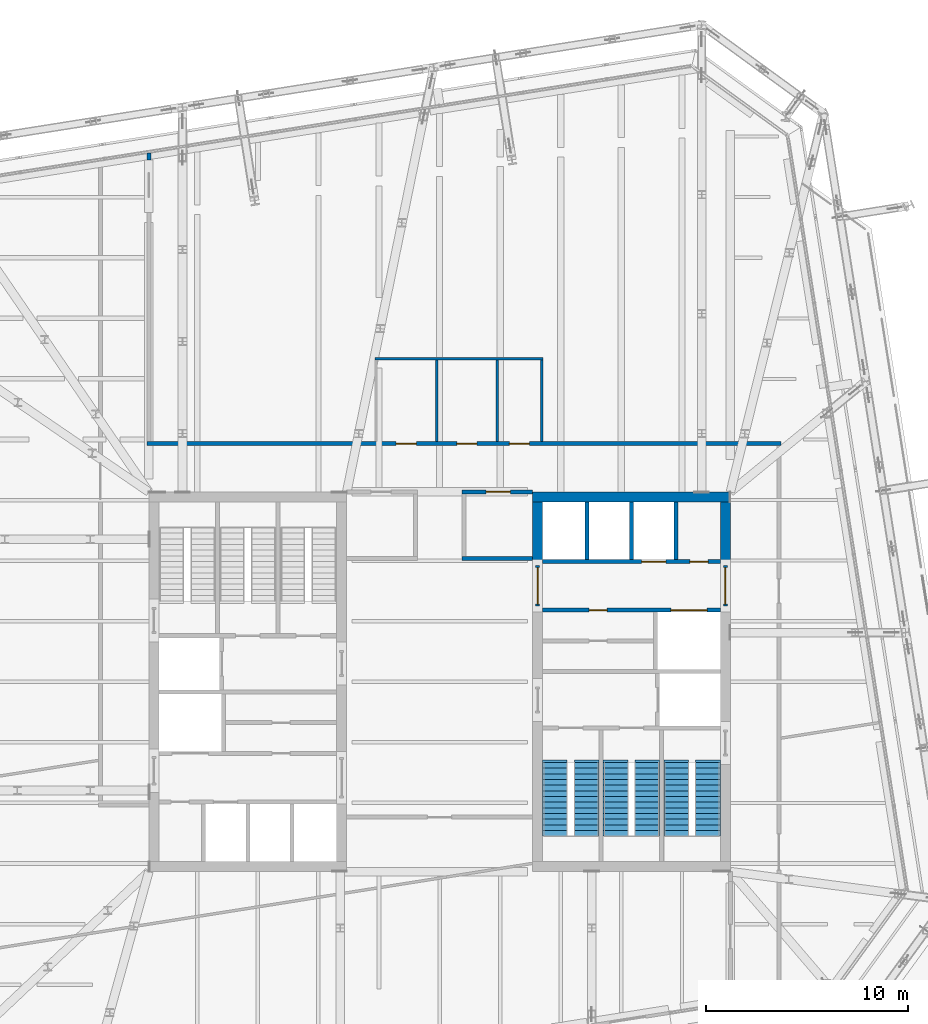
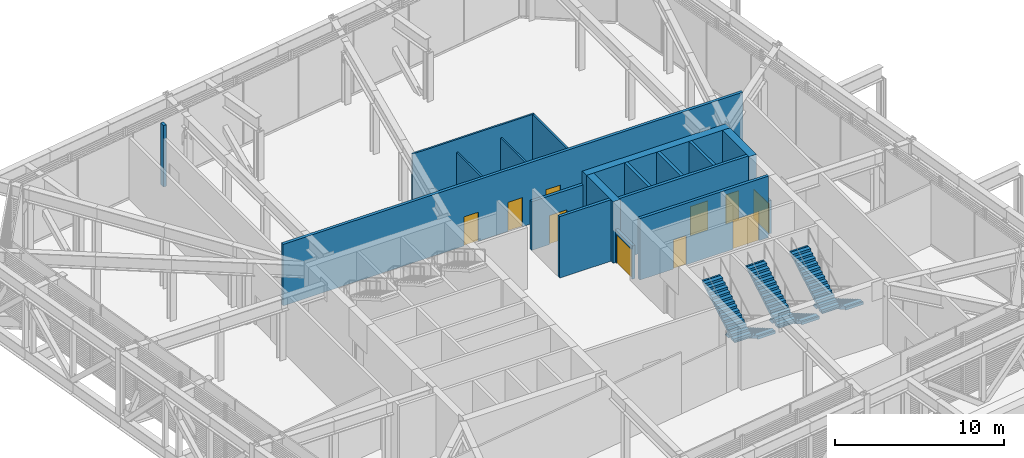
# One storey, part 23 of 35: 18 walls, 10 doors, 6 stair flights, 10 openings, 3 elements without a shape of their own.
"""IFC4 building model written with IfcOpenShell, lengths in metres."""

from ifc_helpers import new_model, si_unit, direction, frame, frame_2d, origin, place, context, subcontext, project, spatial, polyline, rectangle, outline, extrude, material, layer, layer_set, type_object, element, fill, aggregate, save


model = new_model("IFC4")

# Units and contexts
model_context = context("Model", 3, precision=1e-05, world=origin(), true_north=direction((0.0, 1.0)))
body_context = subcontext(model_context, "Body", "Model", "MODEL_VIEW")
ifc_project = project(units=[si_unit("LENGTHUNIT", "METRE"), si_unit("AREAUNIT", "SQUARE_METRE"), si_unit("VOLUMEUNIT", "CUBIC_METRE"), si_unit("PLANEANGLEUNIT", "RADIAN"), si_unit("MASSUNIT", "GRAM", prefix="KILO")], contexts=[model_context])

# Site, building, storey
site_placement = place(None, origin())
site = spatial("IfcSite", under=ifc_project, at=site_placement, CompositionType="ELEMENT")
building_placement = place(site_placement, origin())
building = spatial("IfcBuilding", under=site, at=building_placement, Name="Millrace Tower", CompositionType="ELEMENT")
storey_placement = place(building_placement, frame((0.0, 0.0, 200.10009765625)))
storey = spatial("IfcBuildingStorey", under=building, at=storey_placement, Name="L45", CompositionType="ELEMENT", Elevation=200.10009765625)

# Walls
ifc_material_1 = material(Name="Concrete C60", Category="concrete")
ifc_layer_1 = layer(ifc_material_1, 0.5)
ifc_layer_set_1 = layer_set([ifc_layer_1], Name="Concrete C60")
wall_type_1 = type_object("IfcWallType", Name="Core wall 500 Concrete C60", PredefinedType="SHEAR", material=ifc_layer_set_1)
wall_1_placement = place(storey_placement, frame((14.39990234375, 9.14990234375, 0.0), z_axis=(0.0, 0.0, 1.0), x_axis=(-1.0, 0.0, 0.0)))
element("IfcWall", 1, at=wall_1_placement, inside=storey, type_object=wall_type_1, Name="Core wall E L45", PredefinedType="SHEAR", context=body_context, shape_type="SweptSolid", body=[
    extrude(rectangle(XDim=9.7998046875, YDim=0.5, at=frame_2d((4.89990234375, 0.0))), origin(), (0.0, 0.0, 1.0), 4.43994140625),
])
for number, where, z_axis, x_axis, name in (
    (2, (14.14990234375, 8.89990234375, 0.0), (0.0, 0.0, 1.0), (0.0, -1.0, 0.0), "Core wall E L45"),
    (3, (4.85009765625, 8.89990234375, 0.0), (0.0, 0.0, 1.0), (0.0, -1.0, 0.0), "Core wall E L45"),
):
    element("IfcWall", number, at=place(storey_placement, frame(where, z_axis=z_axis, x_axis=x_axis)), inside=storey, type_object=wall_type_1, Name=name, PredefinedType="SHEAR", context=body_context, shape_type="SweptSolid", body=[
        extrude(rectangle(XDim=3.14990234375, YDim=0.5, at=frame_2d((1.574951171875, 0.0))), origin(), (0.0, 0.0, 1.0), 4.43994140625),
    ])
ifc_material_2 = material(Name="Masonry partition, fire-rated", Category="masonry")
ifc_layer_2 = layer(ifc_material_2, 0.199951171875)
ifc_layer_set_2 = layer_set([ifc_layer_2], Name="Masonry partition, fire-rated")
wall_type_2 = type_object("IfcWallType", Name="Corridor wall 200", PredefinedType="PARTITIONING", material=ifc_layer_set_2)
wall_2_placement = place(storey_placement, frame((1.10009765625, 6.10009765625, 0.0), z_axis=(0.0, 0.0, 1.0), x_axis=(1.0, 0.0, 0.0)))
element("IfcWall", 4, at=wall_2_placement, inside=storey, type_object=wall_type_2, Name="Corridor wall L45", PredefinedType="PARTITIONING", context=body_context, shape_type="SweptSolid", body=[
    extrude(rectangle(XDim=3.5, YDim=0.199951171875, at=frame_2d((1.75, 0.0))), origin(), (0.0, 0.0, 1.0), 4.43994140625),
])

# Wall, opening, door
wall_3_placement = place(storey_placement, frame((1.10009765625, 9.39990234375, 0.0), z_axis=(0.0, 0.0, 1.0), x_axis=(1.0, 0.0, 0.0)))
wall_3 = element("IfcWall", 5, at=wall_3_placement, inside=storey, type_object=wall_type_2, Name="Corridor wall L45", PredefinedType="PARTITIONING", context=body_context, shape_type="SweptSolid", body=[
    extrude(rectangle(XDim=3.5, YDim=0.199951171875, at=frame_2d((1.75, 0.0))), origin(), (0.0, 0.0, 1.0), 3.5126953125),
])
opening_1_placement = place(wall_3_placement, frame((1.199951171875, 0.0, 0.0)))
opening_1 = element("IfcOpeningElement", 6, at=opening_1_placement, cuts=wall_3, Name="Opening 45-P002", PredefinedType="OPENING", context=body_context, shape_type="SweptSolid", body=[
    extrude(rectangle(XDim=1.199951171875, YDim=2.10009765625, at=frame_2d((0.60009765625, 1.050048828125))), frame((0.0, 0.10986328125, 0.0), z_axis=(0.0, -1.0, 0.0), x_axis=(1.0, 0.0, 0.0)), (0.0, 0.0, 1.0), 0.219970703125),
])
ifc_material_3 = material(Name="Steel door set, fire-rated", Category="steel")
door_type_1 = type_object("IfcDoorType", Name="Corridor door 1200 x 2100", OperationType="SINGLE_SWING_LEFT", PredefinedType="DOOR", material=ifc_material_3)
door_1_placement = place(opening_1_placement, frame((1.199951171875, 0.0, 0.0), z_axis=(0.0, 0.0, 1.0), x_axis=(-1.0, 0.0, 0.0)))
door_1 = element("IfcDoor", 7, at=door_1_placement, inside=storey, type_object=door_type_1, Name="Door 45-P002", OperationType="SINGLE_SWING_RIGHT", OverallHeight=2.10009765625, OverallWidth=1.199951171875, PredefinedType="DOOR", context=body_context, shape_type="SweptSolid", body=[
    extrude(rectangle(XDim=1.199951171875, YDim=2.10009765625, at=frame_2d((0.60009765625, 1.050048828125))), frame((0.0, 0.02490234375, 0.0), z_axis=(0.0, -1.0, 0.0), x_axis=(1.0, 0.0, 0.0)), (0.0, 0.0, 1.0), 0.050048828125),
])
fill(opening_1, door_1)

# Wall, openings, doors
wall_4_placement = place(storey_placement, frame((-14.5, 11.800048828125, 0.0), z_axis=(0.0, 0.0, 1.0), x_axis=(1.0, 0.0, 0.0)))
wall_4 = element("IfcWall", 8, at=wall_4_placement, inside=storey, type_object=wall_type_2, Name="Corridor wall L45", PredefinedType="PARTITIONING", context=body_context, shape_type="SweptSolid", body=[
    extrude(rectangle(XDim=31.39990234375, YDim=0.199951171875, at=frame_2d((15.699951171875, 0.0))), origin(), (0.0, 0.0, 1.0), 4.43994140625),
])
opening_2_placement = place(wall_4_placement, frame((12.35009765625, 0.0, 0.0)))
opening_2 = element("IfcOpeningElement", 9, at=opening_2_placement, cuts=wall_4, Name="Opening 45-P008", PredefinedType="OPENING", context=body_context, shape_type="SweptSolid", body=[
    extrude(rectangle(XDim=1.0, YDim=2.10009765625, at=frame_2d((0.5, 1.050048828125))), frame((0.0, 0.10986328125, 0.0), z_axis=(0.0, -1.0, 0.0), x_axis=(1.0, 0.0, 0.0)), (0.0, 0.0, 1.0), 0.219970703125),
])
opening_3_placement = place(wall_4_placement, frame((15.35009765625, 0.0, 0.0)))
opening_3 = element("IfcOpeningElement", 10, at=opening_3_placement, cuts=wall_4, Name="Opening 45-P009", PredefinedType="OPENING", context=body_context, shape_type="SweptSolid", body=[
    extrude(rectangle(XDim=1.0, YDim=2.10009765625, at=frame_2d((0.5, 1.050048828125))), frame((0.0, 0.10986328125, 0.0), z_axis=(0.0, -1.0, 0.0), x_axis=(1.0, 0.0, 0.0)), (0.0, 0.0, 1.0), 0.219970703125),
])
opening_4_placement = place(wall_4_placement, frame((17.949951171875, 0.0, 0.0)))
opening_4 = element("IfcOpeningElement", 11, at=opening_4_placement, cuts=wall_4, Name="Opening 45-P010", PredefinedType="OPENING", context=body_context, shape_type="SweptSolid", body=[
    extrude(rectangle(XDim=1.0, YDim=2.10009765625, at=frame_2d((0.5, 1.050048828125))), frame((0.0, 0.10986328125, 0.0), z_axis=(0.0, -1.0, 0.0), x_axis=(1.0, 0.0, 0.0)), (0.0, 0.0, 1.0), 0.219970703125),
])
ifc_material_4 = material(Name="Steel door set, fire-rated", Category="steel")
door_type_2 = type_object("IfcDoorType", Name="Corridor door 1000 x 2100", OperationType="SINGLE_SWING_LEFT", PredefinedType="DOOR", material=ifc_material_4)
door_2_placement = place(opening_2_placement, origin())
door_2 = element("IfcDoor", 12, at=door_2_placement, inside=storey, type_object=door_type_2, Name="Door 45-P008", OperationType="SINGLE_SWING_LEFT", OverallHeight=2.10009765625, OverallWidth=1.0, PredefinedType="DOOR", context=body_context, shape_type="SweptSolid", body=[
    extrude(rectangle(XDim=1.0, YDim=2.10009765625, at=frame_2d((0.5, 1.050048828125))), frame((0.0, 0.02490234375, 0.0), z_axis=(0.0, -1.0, 0.0), x_axis=(1.0, 0.0, 0.0)), (0.0, 0.0, 1.0), 0.050048828125),
])
fill(opening_2, door_2)
door_3_placement = place(opening_3_placement, origin())
door_3 = element("IfcDoor", 13, at=door_3_placement, inside=storey, type_object=door_type_2, Name="Door 45-P009", OperationType="SINGLE_SWING_LEFT", OverallHeight=2.10009765625, OverallWidth=1.0, PredefinedType="DOOR", context=body_context, shape_type="SweptSolid", body=[
    extrude(rectangle(XDim=1.0, YDim=2.10009765625, at=frame_2d((0.5, 1.050048828125))), frame((0.0, 0.02490234375, 0.0), z_axis=(0.0, -1.0, 0.0), x_axis=(1.0, 0.0, 0.0)), (0.0, 0.0, 1.0), 0.050048828125),
])
fill(opening_3, door_3)
door_4_placement = place(opening_4_placement, origin())
door_4 = element("IfcDoor", 14, at=door_4_placement, inside=storey, type_object=door_type_2, Name="Door 45-P010", OperationType="SINGLE_SWING_RIGHT", OverallHeight=2.10009765625, OverallWidth=1.0, PredefinedType="DOOR", context=body_context, shape_type="SweptSolid", body=[
    extrude(rectangle(XDim=1.0, YDim=2.10009765625, at=frame_2d((0.5, 1.050048828125))), frame((0.0, 0.02490234375, 0.0), z_axis=(0.0, -1.0, 0.0), x_axis=(1.0, 0.0, 0.0)), (0.0, 0.0, 1.0), 0.050048828125),
])
fill(opening_4, door_4)

# Wall
wall_5_placement = place(storey_placement, frame((-14.39990234375, 25.8486328125, 0.0), z_axis=(0.0, 0.0, 1.0), x_axis=(0.0, 1.0, 0.0)))
element("IfcWall", 15, at=wall_5_placement, inside=storey, type_object=wall_type_2, Name="Corridor wall L45", PredefinedType="PARTITIONING", context=body_context, shape_type="SweptSolid", body=[
    extrude(rectangle(XDim=0.349609375, YDim=0.199951171875, at=frame_2d((0.1748046875, 0.0))), origin(), (0.0, 0.0, 1.0), 4.43994140625),
])

# Wall, openings, doors
ifc_material_5 = material(Name="Masonry partition, fire-rated", Category="masonry")
ifc_layer_3 = layer(ifc_material_5, 0.199951171875)
ifc_layer_set_3 = layer_set([ifc_layer_3], Name="Masonry partition, fire-rated")
wall_type_3 = type_object("IfcWallType", Name="Lift shaft wall 200", PredefinedType="PARTITIONING", material=ifc_layer_set_3)
wall_6_placement = place(storey_placement, frame((13.89990234375, 5.949951171875, 0.0), z_axis=(0.0, 0.0, 1.0), x_axis=(-1.0, 0.0, 0.0)))
wall_6 = element("IfcWall", 16, at=wall_6_placement, inside=storey, type_object=wall_type_3, Name="Lift shaft wall E L45", PredefinedType="PARTITIONING", context=body_context, shape_type="SweptSolid", body=[
    extrude(rectangle(XDim=8.7998046875, YDim=0.199951171875, at=frame_2d((4.39990234375, 0.0))), origin(), (0.0, 0.0, 1.0), 4.43994140625),
])
opening_5_placement = place(wall_6_placement, frame((2.699951171875, 0.0, 0.0)))
opening_5 = element("IfcOpeningElement", 17, at=opening_5_placement, cuts=wall_6, Name="Opening 45-LD10", PredefinedType="OPENING", context=body_context, shape_type="SweptSolid", body=[
    extrude(rectangle(XDim=1.199951171875, YDim=2.10009765625, at=frame_2d((0.60009765625, 1.050048828125))), frame((0.0, 0.10986328125, 0.0), z_axis=(0.0, -1.0, 0.0), x_axis=(1.0, 0.0, 0.0)), (0.0, 0.0, 1.0), 0.219970703125),
])
opening_6_placement = place(wall_6_placement, frame((0.60009765625, 0.0, 0.0)))
opening_6 = element("IfcOpeningElement", 18, at=opening_6_placement, cuts=wall_6, Name="Opening 45-C014", PredefinedType="OPENING", context=body_context, shape_type="SweptSolid", body=[
    extrude(rectangle(XDim=0.89990234375, YDim=2.10009765625, at=frame_2d((0.449951171875, 1.050048828125))), frame((0.0, 0.10986328125, 0.0), z_axis=(0.0, -1.0, 0.0), x_axis=(1.0, 0.0, 0.0)), (0.0, 0.0, 1.0), 0.219970703125),
])
ifc_material_6 = material(Name="Stainless steel, fire-rated", Category="steel")
door_type_3 = type_object("IfcDoorType", Name="Lift landing door 1200 x 2100", OperationType="DOUBLE_DOOR_SLIDING", PredefinedType="DOOR", material=ifc_material_6)
door_5_placement = place(opening_5_placement, origin())
door_5 = element("IfcDoor", 19, at=door_5_placement, inside=storey, type_object=door_type_3, Name="Lift landing door LF10 L45", OperationType="DOUBLE_DOOR_SLIDING", OverallHeight=2.10009765625, OverallWidth=1.199951171875, PredefinedType="DOOR", context=body_context, shape_type="SweptSolid", body=[
    extrude(rectangle(XDim=1.199951171875, YDim=2.10009765625, at=frame_2d((0.60009765625, 1.050048828125))), frame((0.0, 0.02490234375, 0.0), z_axis=(0.0, -1.0, 0.0), x_axis=(1.0, 0.0, 0.0)), (0.0, 0.0, 1.0), 0.050048828125),
])
fill(opening_5, door_5)
ifc_material_7 = material(Name="Steel door, fire-rated", Category="steel")
door_type_4 = type_object("IfcDoorType", Name="Service room door 900 x 2100", OperationType="SINGLE_SWING_LEFT", PredefinedType="DOOR", material=ifc_material_7)
door_6_placement = place(opening_6_placement, frame((0.89990234375, 0.0, 0.0), z_axis=(0.0, 0.0, 1.0), x_axis=(-1.0, 0.0, 0.0)))
door_6 = element("IfcDoor", 20, at=door_6_placement, inside=storey, type_object=door_type_4, Name="Service room door 45-C014", OperationType="SINGLE_SWING_RIGHT", OverallHeight=2.10009765625, OverallWidth=0.89990234375, PredefinedType="DOOR", context=body_context, shape_type="SweptSolid", body=[
    extrude(rectangle(XDim=0.89990234375, YDim=2.10009765625, at=frame_2d((0.449951171875, 1.050048828125))), frame((0.0, 0.02490234375, 0.0), z_axis=(0.0, -1.0, 0.0), x_axis=(1.0, 0.0, 0.0)), (0.0, 0.0, 1.0), 0.050048828125),
])
fill(opening_6, door_6)

wall_7_placement = place(storey_placement, frame((13.89990234375, 3.550048828125, 0.0), z_axis=(0.0, 0.0, 1.0), x_axis=(-1.0, 0.0, 0.0)))
wall_7 = element("IfcWall", 21, at=wall_7_placement, inside=storey, type_object=wall_type_3, Name="Lift shaft wall E L45", PredefinedType="PARTITIONING", context=body_context, shape_type="SweptSolid", body=[
    extrude(rectangle(XDim=8.7998046875, YDim=0.199951171875, at=frame_2d((4.39990234375, 0.0))), origin(), (0.0, 0.0, 1.0), 4.43994140625),
])
opening_7_placement = place(wall_7_placement, frame((0.64990234375, 0.0, 0.0)))
opening_7 = element("IfcOpeningElement", 22, at=opening_7_placement, cuts=wall_7, Name="Opening 45-LD13", PredefinedType="OPENING", context=body_context, shape_type="SweptSolid", body=[
    extrude(rectangle(XDim=1.800048828125, YDim=2.10009765625, at=frame_2d((0.89990234375, 1.050048828125))), frame((0.0, 0.10986328125, 0.0), z_axis=(0.0, -1.0, 0.0), x_axis=(1.0, 0.0, 0.0)), (0.0, 0.0, 1.0), 0.219970703125),
])
opening_8_placement = place(wall_7_placement, frame((5.60009765625, 0.0, 0.0)))
opening_8 = element("IfcOpeningElement", 23, at=opening_8_placement, cuts=wall_7, Name="Opening 45-C015", PredefinedType="OPENING", context=body_context, shape_type="SweptSolid", body=[
    extrude(rectangle(XDim=0.89990234375, YDim=2.10009765625, at=frame_2d((0.449951171875, 1.050048828125))), frame((0.0, 0.10986328125, 0.0), z_axis=(0.0, -1.0, 0.0), x_axis=(1.0, 0.0, 0.0)), (0.0, 0.0, 1.0), 0.219970703125),
])
ifc_material_8 = material(Name="Stainless steel, fire-rated", Category="steel")
door_type_5 = type_object("IfcDoorType", Name="Lift landing door 1800 x 2100", OperationType="DOUBLE_DOOR_SLIDING", PredefinedType="DOOR", material=ifc_material_8)
door_7_placement = place(opening_7_placement, origin())
door_7 = element("IfcDoor", 24, at=door_7_placement, inside=storey, type_object=door_type_5, Name="Lift landing door LF13 L45", OperationType="DOUBLE_DOOR_SLIDING", OverallHeight=2.10009765625, OverallWidth=1.800048828125, PredefinedType="DOOR", context=body_context, shape_type="SweptSolid", body=[
    extrude(rectangle(XDim=1.800048828125, YDim=2.10009765625, at=frame_2d((0.89990234375, 1.050048828125))), frame((0.0, 0.02490234375, 0.0), z_axis=(0.0, -1.0, 0.0), x_axis=(1.0, 0.0, 0.0)), (0.0, 0.0, 1.0), 0.050048828125),
])
fill(opening_7, door_7)
door_8_placement = place(opening_8_placement, frame((0.89990234375, 0.0, 0.0), z_axis=(0.0, 0.0, 1.0), x_axis=(-1.0, 0.0, 0.0)))
door_8 = element("IfcDoor", 25, at=door_8_placement, inside=storey, type_object=door_type_4, Name="Service room door 45-C015", OperationType="SINGLE_SWING_LEFT", OverallHeight=2.10009765625, OverallWidth=0.89990234375, PredefinedType="DOOR", context=body_context, shape_type="SweptSolid", body=[
    extrude(rectangle(XDim=0.89990234375, YDim=2.10009765625, at=frame_2d((0.449951171875, 1.050048828125))), frame((0.0, 0.02490234375, 0.0), z_axis=(0.0, -1.0, 0.0), x_axis=(1.0, 0.0, 0.0)), (0.0, 0.0, 1.0), 0.050048828125),
])
fill(opening_8, door_8)

# Walls
for number, where, z_axis, x_axis, name in (
    (26, (11.699951171875, 8.89990234375, 0.0), (0.0, 0.0, 1.0), (0.0, -1.0, 0.0), "Lift shaft wall E L45"),
    (27, (9.5, 8.89990234375, 0.0), (0.0, 0.0, 1.0), (0.0, -1.0, 0.0), "Lift shaft wall E L45"),
    (28, (7.300048828125, 8.89990234375, 0.0), (0.0, 0.0, 1.0), (0.0, -1.0, 0.0), "Lift shaft wall E L45"),
):
    element("IfcWall", number, at=place(storey_placement, frame(where, z_axis=z_axis, x_axis=x_axis)), inside=storey, type_object=wall_type_3, Name=name, PredefinedType="PARTITIONING", context=body_context, shape_type="SweptSolid", body=[
        extrude(rectangle(XDim=2.849853515625, YDim=0.199951171875, at=frame_2d((1.4248046875, 0.0))), origin(), (0.0, 0.0, 1.0), 4.43994140625),
    ])

# Wall, opening, door
ifc_material_9 = material(Name="Masonry partition, fire-rated", Category="masonry")
ifc_layer_4 = layer(ifc_material_9, 0.199951171875)
ifc_layer_set_4 = layer_set([ifc_layer_4], Name="Masonry partition, fire-rated")
wall_type_4 = type_object("IfcWallType", Name="Lobby wall 200", PredefinedType="PARTITIONING", material=ifc_layer_set_4)
wall_8_placement = place(storey_placement, frame((14.14990234375, 5.75, 0.0), z_axis=(0.0, 0.0, 1.0), x_axis=(0.0, -1.0, 0.0)))
wall_8 = element("IfcWall", 29, at=wall_8_placement, inside=storey, type_object=wall_type_4, Name="Lobby wall E L45", PredefinedType="PARTITIONING", context=body_context, shape_type="SweptSolid", body=[
    extrude(rectangle(XDim=2.0, YDim=0.199951171875, at=frame_2d((1.0, 0.0))), origin(), (0.0, 0.0, 1.0), 2.39990234375),
])
opening_9_placement = place(wall_8_placement, frame((0.10009765625, 0.0, 0.0)))
opening_9 = element("IfcOpeningElement", 30, at=opening_9_placement, cuts=wall_8, Name="Opening 45-C010", PredefinedType="OPENING", context=body_context, shape_type="SweptSolid", body=[
    extrude(rectangle(XDim=1.800048828125, YDim=2.10009765625, at=frame_2d((0.89990234375, 1.050048828125))), frame((0.0, 0.10986328125, 0.0), z_axis=(0.0, -1.0, 0.0), x_axis=(1.0, 0.0, 0.0)), (0.0, 0.0, 1.0), 0.219970703125),
])
ifc_material_10 = material(Name="Steel door, fire-rated", Category="steel")
door_type_6 = type_object("IfcDoorType", Name="Lobby door 1800 x 2100", OperationType="DOUBLE_DOOR_SINGLE_SWING", PredefinedType="DOOR", material=ifc_material_10)
door_9_placement = place(opening_9_placement, origin())
door_9 = element("IfcDoor", 31, at=door_9_placement, inside=storey, type_object=door_type_6, Name="Lobby door 45-C010", OperationType="DOUBLE_DOOR_SINGLE_SWING", OverallHeight=2.10009765625, OverallWidth=1.800048828125, PredefinedType="DOOR", context=body_context, shape_type="SweptSolid", body=[
    extrude(rectangle(XDim=1.800048828125, YDim=2.10009765625, at=frame_2d((0.89990234375, 1.050048828125))), frame((0.0, 0.02490234375, 0.0), z_axis=(0.0, -1.0, 0.0), x_axis=(1.0, 0.0, 0.0)), (0.0, 0.0, 1.0), 0.050048828125),
])
fill(opening_9, door_9)

wall_9_placement = place(storey_placement, frame((4.85009765625, 5.75, 0.0), z_axis=(0.0, 0.0, 1.0), x_axis=(0.0, -1.0, 0.0)))
wall_9 = element("IfcWall", 32, at=wall_9_placement, inside=storey, type_object=wall_type_4, Name="Lobby wall E L45", PredefinedType="PARTITIONING", context=body_context, shape_type="SweptSolid", body=[
    extrude(rectangle(XDim=2.0, YDim=0.199951171875, at=frame_2d((1.0, 0.0))), origin(), (0.0, 0.0, 1.0), 2.39990234375),
])
opening_10_placement = place(wall_9_placement, frame((0.10009765625, 0.0, 0.0)))
opening_10 = element("IfcOpeningElement", 33, at=opening_10_placement, cuts=wall_9, Name="Opening 45-C012", PredefinedType="OPENING", context=body_context, shape_type="SweptSolid", body=[
    extrude(rectangle(XDim=1.800048828125, YDim=2.10009765625, at=frame_2d((0.89990234375, 1.050048828125))), frame((0.0, 0.10986328125, 0.0), z_axis=(0.0, -1.0, 0.0), x_axis=(1.0, 0.0, 0.0)), (0.0, 0.0, 1.0), 0.219970703125),
])
door_10_placement = place(opening_10_placement, frame((1.800048828125, 0.0, 0.0), z_axis=(0.0, 0.0, 1.0), x_axis=(-1.0, 0.0, 0.0)))
door_10 = element("IfcDoor", 34, at=door_10_placement, inside=storey, type_object=door_type_6, Name="Lobby door 45-C012", OperationType="DOUBLE_DOOR_SINGLE_SWING", OverallHeight=2.10009765625, OverallWidth=1.800048828125, PredefinedType="DOOR", context=body_context, shape_type="SweptSolid", body=[
    extrude(rectangle(XDim=1.800048828125, YDim=2.10009765625, at=frame_2d((0.89990234375, 1.050048828125))), frame((0.0, 0.02490234375, 0.0), z_axis=(0.0, -1.0, 0.0), x_axis=(1.0, 0.0, 0.0)), (0.0, 0.0, 1.0), 0.050048828125),
])
fill(opening_10, door_10)

# Walls
ifc_material_11 = material(Name="Gypsum board partition")
ifc_layer_5 = layer(ifc_material_11, 0.1201171875)
ifc_layer_set_5 = layer_set([ifc_layer_5], Name="Gypsum board partition")
wall_type_5 = type_object("IfcWallType", Name="Partition wall 120", PredefinedType="PARTITIONING", material=ifc_layer_set_5)
wall_10_placement = place(storey_placement, frame((-3.2099609375, 16.0, 0.0), z_axis=(0.0, 0.0, 1.0), x_axis=(1.0, 0.0, 0.0)))
element("IfcWall", 35, at=wall_10_placement, inside=storey, type_object=wall_type_5, Name="Partition wall L45", PredefinedType="PARTITIONING", context=body_context, shape_type="SweptSolid", body=[
    extrude(rectangle(XDim=8.320068359375, YDim=0.1201171875, at=frame_2d((4.16015625, 0.0))), origin(), (0.0, 0.0, 1.0), 4.43994140625),
])
wall_11_placement = place(storey_placement, frame((5.050048828125, 11.89990234375, 0.0), z_axis=(0.0, 0.0, 1.0), x_axis=(0.0, 1.0, 0.0)))
element("IfcWall", 36, at=wall_11_placement, inside=storey, type_object=wall_type_5, Name="Partition wall L45", PredefinedType="PARTITIONING", context=body_context, shape_type="SweptSolid", body=[
    extrude(rectangle(XDim=4.0400390625, YDim=0.1201171875, at=frame_2d((2.02001953125, 0.0))), origin(), (0.0, 0.0, 1.0), 4.43994140625),
])
for number, where, z_axis, x_axis, name in (
    (37, (2.85009765625, 11.89990234375, 0.0), (0.0, 0.0, 1.0), (0.0, 1.0, 0.0), "Partition wall L45"),
    (38, (-0.14990234375, 11.89990234375, 0.0), (0.0, 0.0, 1.0), (0.0, 1.0, 0.0), "Partition wall L45"),
):
    element("IfcWall", number, at=place(storey_placement, frame(where, z_axis=z_axis, x_axis=x_axis)), inside=storey, type_object=wall_type_5, Name=name, PredefinedType="PARTITIONING", context=body_context, shape_type="SweptSolid", body=[
        extrude(rectangle(XDim=4.0400390625, YDim=0.1201171875, at=frame_2d((2.02001953125, 0.0))), origin(), (0.0, 0.0, 1.0), 3.5126953125),
    ])

# Stair, stair flights
ifc_material_12 = material(Name="Concrete C35", Category="concrete")
stair_type = type_object("IfcStairType", Name="Exit stair", PredefinedType="HALF_TURN_STAIR", material=ifc_material_12)
placement = place(storey_placement, origin())
stair_1 = element("IfcStair", 39, at=placement, inside=storey, type_object=stair_type, Name="Stair 1 E L45", PredefinedType="HALF_TURN_STAIR")
ifc_material_13 = material(Name="Concrete C35", Category="concrete")
stair_flight_type = type_object("IfcStairFlightType", Name="Exit stair flight", PredefinedType="STRAIGHT", material=ifc_material_13)
stair_flight_1_placement = place(storey_placement, frame((13.2900390625, -4.0, 0.0), z_axis=(0.0, 0.0, 1.0), x_axis=(0.0, -1.0, 0.0)))
stair_flight_1 = element("IfcStairFlight", 40, at=stair_flight_1_placement, type_object=stair_flight_type, Name="ST12 flight 1", NumberOfRisers=14, NumberOfTreads=13, PredefinedType="STRAIGHT", RiserHeight=0.164285714, TreadLength=0.28, context=body_context, shape_type="SweptSolid", body=[
    extrude(outline(polyline([(-0.1201171875, -0.0400390625), (-0.1201171875, 0.0), (0.0, 0.0), (0.0, 0.164306640625), (0.280029296875, 0.164306640625), (0.280029296875, 0.32861328125), (0.56005859375, 0.32861328125), (0.56005859375, 0.492919921875), (0.840087890625, 0.492919921875), (0.840087890625, 0.6572265625), (1.1201171875, 0.6572265625), (1.1201171875, 0.821533203125), (1.39990234375, 0.821533203125), (1.39990234375, 0.985595703125), (1.679931640625, 0.985595703125), (1.679931640625, 1.14990234375), (1.9599609375, 1.14990234375), (1.9599609375, 1.314208984375), (2.239990234375, 1.314208984375), (2.239990234375, 1.478515625), (2.52001953125, 1.478515625), (2.52001953125, 1.642822265625), (2.800048828125, 1.642822265625), (2.800048828125, 1.80712890625), (3.080078125, 1.80712890625), (3.080078125, 1.971435546875), (3.360107421875, 1.971435546875), (3.360107421875, 2.1357421875), (3.639892578125, 2.1357421875), (3.639892578125, 2.15576171875), (3.760009765625, 2.15576171875), (3.760009765625, 1.9619140625), (3.639892578125, 1.9619140625), (0.296142578125, 0.0), (0.296142578125, -0.0400390625), (-0.1201171875, -0.0400390625)])), frame((0.0, 0.60986328125, 0.0), z_axis=(0.0, -1.0, 0.0), x_axis=(1.0, 0.0, 0.0)), (0.0, 0.0, 1.0), 1.219970703125),
])
stair_flight_2_placement = place(storey_placement, frame((11.7099609375, -7.639892578125, 2.2998046875), z_axis=(0.0, 0.0, 1.0), x_axis=(0.0, 1.0, 0.0)))
stair_flight_2 = element("IfcStairFlight", 41, at=stair_flight_2_placement, type_object=stair_flight_type, Name="ST12 flight 2", NumberOfRisers=14, NumberOfTreads=13, PredefinedType="STRAIGHT", RiserHeight=0.164285714, TreadLength=0.28, context=body_context, shape_type="SweptSolid", body=[
    extrude(outline(polyline([(-0.1201171875, -0.0400390625), (-0.1201171875, 0.0), (0.0, 0.0), (0.0, 0.164306640625), (0.280029296875, 0.164306640625), (0.280029296875, 0.32861328125), (0.56005859375, 0.32861328125), (0.56005859375, 0.492919921875), (0.840087890625, 0.492919921875), (0.840087890625, 0.6572265625), (1.1201171875, 0.6572265625), (1.1201171875, 0.821533203125), (1.39990234375, 0.821533203125), (1.39990234375, 0.985595703125), (1.679931640625, 0.985595703125), (1.679931640625, 1.14990234375), (1.9599609375, 1.14990234375), (1.9599609375, 1.314208984375), (2.239990234375, 1.314208984375), (2.239990234375, 1.478515625), (2.52001953125, 1.478515625), (2.52001953125, 1.642822265625), (2.800048828125, 1.642822265625), (2.800048828125, 1.80712890625), (3.080078125, 1.80712890625), (3.080078125, 1.971435546875), (3.360107421875, 1.971435546875), (3.360107421875, 2.1357421875), (3.639892578125, 2.1357421875), (3.639892578125, 2.15576171875), (3.760009765625, 2.15576171875), (3.760009765625, 1.9619140625), (3.639892578125, 1.9619140625), (0.296142578125, 0.0), (0.296142578125, -0.0400390625), (-0.1201171875, -0.0400390625)])), frame((0.0, 0.60986328125, 0.0), z_axis=(0.0, -1.0, 0.0), x_axis=(1.0, 0.0, 0.0)), (0.0, 0.0, 1.0), 1.219970703125),
])
aggregate(stair_1, [stair_flight_1, stair_flight_2])

stair_2 = element("IfcStair", 42, at=placement, inside=storey, type_object=stair_type, Name="Stair 2 E L45", PredefinedType="HALF_TURN_STAIR")
stair_flight_3_placement = place(storey_placement, frame((10.2900390625, -4.0, 0.0), z_axis=(0.0, 0.0, 1.0), x_axis=(0.0, -1.0, 0.0)))
stair_flight_3 = element("IfcStairFlight", 43, at=stair_flight_3_placement, type_object=stair_flight_type, Name="ST12 flight 1", NumberOfRisers=14, NumberOfTreads=13, PredefinedType="STRAIGHT", RiserHeight=0.164285714, TreadLength=0.28, context=body_context, shape_type="SweptSolid", body=[
    extrude(outline(polyline([(-0.1201171875, -0.0400390625), (-0.1201171875, 0.0), (0.0, 0.0), (0.0, 0.164306640625), (0.280029296875, 0.164306640625), (0.280029296875, 0.32861328125), (0.56005859375, 0.32861328125), (0.56005859375, 0.492919921875), (0.840087890625, 0.492919921875), (0.840087890625, 0.6572265625), (1.1201171875, 0.6572265625), (1.1201171875, 0.821533203125), (1.39990234375, 0.821533203125), (1.39990234375, 0.985595703125), (1.679931640625, 0.985595703125), (1.679931640625, 1.14990234375), (1.9599609375, 1.14990234375), (1.9599609375, 1.314208984375), (2.239990234375, 1.314208984375), (2.239990234375, 1.478515625), (2.52001953125, 1.478515625), (2.52001953125, 1.642822265625), (2.800048828125, 1.642822265625), (2.800048828125, 1.80712890625), (3.080078125, 1.80712890625), (3.080078125, 1.971435546875), (3.360107421875, 1.971435546875), (3.360107421875, 2.1357421875), (3.639892578125, 2.1357421875), (3.639892578125, 2.15576171875), (3.760009765625, 2.15576171875), (3.760009765625, 1.9619140625), (3.639892578125, 1.9619140625), (0.296142578125, 0.0), (0.296142578125, -0.0400390625), (-0.1201171875, -0.0400390625)])), frame((0.0, 0.60986328125, 0.0), z_axis=(0.0, -1.0, 0.0), x_axis=(1.0, 0.0, 0.0)), (0.0, 0.0, 1.0), 1.219970703125),
])
stair_flight_4_placement = place(storey_placement, frame((8.7099609375, -7.639892578125, 2.2998046875), z_axis=(0.0, 0.0, 1.0), x_axis=(0.0, 1.0, 0.0)))
stair_flight_4 = element("IfcStairFlight", 44, at=stair_flight_4_placement, type_object=stair_flight_type, Name="ST12 flight 2", NumberOfRisers=14, NumberOfTreads=13, PredefinedType="STRAIGHT", RiserHeight=0.164285714, TreadLength=0.28, context=body_context, shape_type="SweptSolid", body=[
    extrude(outline(polyline([(-0.1201171875, -0.0400390625), (-0.1201171875, 0.0), (0.0, 0.0), (0.0, 0.164306640625), (0.280029296875, 0.164306640625), (0.280029296875, 0.32861328125), (0.56005859375, 0.32861328125), (0.56005859375, 0.492919921875), (0.840087890625, 0.492919921875), (0.840087890625, 0.6572265625), (1.1201171875, 0.6572265625), (1.1201171875, 0.821533203125), (1.39990234375, 0.821533203125), (1.39990234375, 0.985595703125), (1.679931640625, 0.985595703125), (1.679931640625, 1.14990234375), (1.9599609375, 1.14990234375), (1.9599609375, 1.314208984375), (2.239990234375, 1.314208984375), (2.239990234375, 1.478515625), (2.52001953125, 1.478515625), (2.52001953125, 1.642822265625), (2.800048828125, 1.642822265625), (2.800048828125, 1.80712890625), (3.080078125, 1.80712890625), (3.080078125, 1.971435546875), (3.360107421875, 1.971435546875), (3.360107421875, 2.1357421875), (3.639892578125, 2.1357421875), (3.639892578125, 2.15576171875), (3.760009765625, 2.15576171875), (3.760009765625, 1.9619140625), (3.639892578125, 1.9619140625), (0.296142578125, 0.0), (0.296142578125, -0.0400390625), (-0.1201171875, -0.0400390625)])), frame((0.0, 0.60986328125, 0.0), z_axis=(0.0, -1.0, 0.0), x_axis=(1.0, 0.0, 0.0)), (0.0, 0.0, 1.0), 1.219970703125),
])
aggregate(stair_2, [stair_flight_3, stair_flight_4])

stair_3 = element("IfcStair", 45, at=placement, inside=storey, type_object=stair_type, Name="Stair 3 E L45", PredefinedType="HALF_TURN_STAIR")
stair_flight_5_placement = place(storey_placement, frame((7.2900390625, -4.0, 0.0), z_axis=(0.0, 0.0, 1.0), x_axis=(0.0, -1.0, 0.0)))
stair_flight_5 = element("IfcStairFlight", 46, at=stair_flight_5_placement, type_object=stair_flight_type, Name="ST12 flight 1", NumberOfRisers=14, NumberOfTreads=13, PredefinedType="STRAIGHT", RiserHeight=0.164285714, TreadLength=0.28, context=body_context, shape_type="SweptSolid", body=[
    extrude(outline(polyline([(-0.1201171875, -0.0400390625), (-0.1201171875, 0.0), (0.0, 0.0), (0.0, 0.164306640625), (0.280029296875, 0.164306640625), (0.280029296875, 0.32861328125), (0.56005859375, 0.32861328125), (0.56005859375, 0.492919921875), (0.840087890625, 0.492919921875), (0.840087890625, 0.6572265625), (1.1201171875, 0.6572265625), (1.1201171875, 0.821533203125), (1.39990234375, 0.821533203125), (1.39990234375, 0.985595703125), (1.679931640625, 0.985595703125), (1.679931640625, 1.14990234375), (1.9599609375, 1.14990234375), (1.9599609375, 1.314208984375), (2.239990234375, 1.314208984375), (2.239990234375, 1.478515625), (2.52001953125, 1.478515625), (2.52001953125, 1.642822265625), (2.800048828125, 1.642822265625), (2.800048828125, 1.80712890625), (3.080078125, 1.80712890625), (3.080078125, 1.971435546875), (3.360107421875, 1.971435546875), (3.360107421875, 2.1357421875), (3.639892578125, 2.1357421875), (3.639892578125, 2.15576171875), (3.760009765625, 2.15576171875), (3.760009765625, 1.9619140625), (3.639892578125, 1.9619140625), (0.296142578125, 0.0), (0.296142578125, -0.0400390625), (-0.1201171875, -0.0400390625)])), frame((0.0, 0.60986328125, 0.0), z_axis=(0.0, -1.0, 0.0), x_axis=(1.0, 0.0, 0.0)), (0.0, 0.0, 1.0), 1.219970703125),
])
stair_flight_6_placement = place(storey_placement, frame((5.7099609375, -7.639892578125, 2.2998046875), z_axis=(0.0, 0.0, 1.0), x_axis=(0.0, 1.0, 0.0)))
stair_flight_6 = element("IfcStairFlight", 47, at=stair_flight_6_placement, type_object=stair_flight_type, Name="ST12 flight 2", NumberOfRisers=14, NumberOfTreads=13, PredefinedType="STRAIGHT", RiserHeight=0.164285714, TreadLength=0.28, context=body_context, shape_type="SweptSolid", body=[
    extrude(outline(polyline([(-0.1201171875, -0.0400390625), (-0.1201171875, 0.0), (0.0, 0.0), (0.0, 0.164306640625), (0.280029296875, 0.164306640625), (0.280029296875, 0.32861328125), (0.56005859375, 0.32861328125), (0.56005859375, 0.492919921875), (0.840087890625, 0.492919921875), (0.840087890625, 0.6572265625), (1.1201171875, 0.6572265625), (1.1201171875, 0.821533203125), (1.39990234375, 0.821533203125), (1.39990234375, 0.985595703125), (1.679931640625, 0.985595703125), (1.679931640625, 1.14990234375), (1.9599609375, 1.14990234375), (1.9599609375, 1.314208984375), (2.239990234375, 1.314208984375), (2.239990234375, 1.478515625), (2.52001953125, 1.478515625), (2.52001953125, 1.642822265625), (2.800048828125, 1.642822265625), (2.800048828125, 1.80712890625), (3.080078125, 1.80712890625), (3.080078125, 1.971435546875), (3.360107421875, 1.971435546875), (3.360107421875, 2.1357421875), (3.639892578125, 2.1357421875), (3.639892578125, 2.15576171875), (3.760009765625, 2.15576171875), (3.760009765625, 1.9619140625), (3.639892578125, 1.9619140625), (0.296142578125, 0.0), (0.296142578125, -0.0400390625), (-0.1201171875, -0.0400390625)])), frame((0.0, 0.60986328125, 0.0), z_axis=(0.0, -1.0, 0.0), x_axis=(1.0, 0.0, 0.0)), (0.0, 0.0, 1.0), 1.219970703125),
])
aggregate(stair_3, [stair_flight_5, stair_flight_6])

save(model, "model.ifc")
